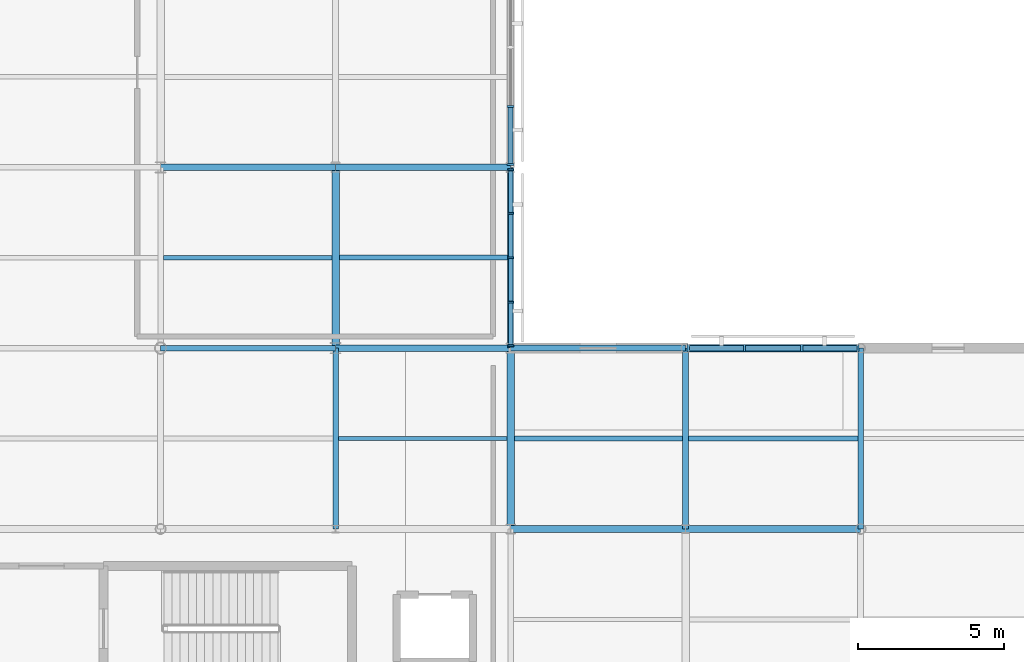
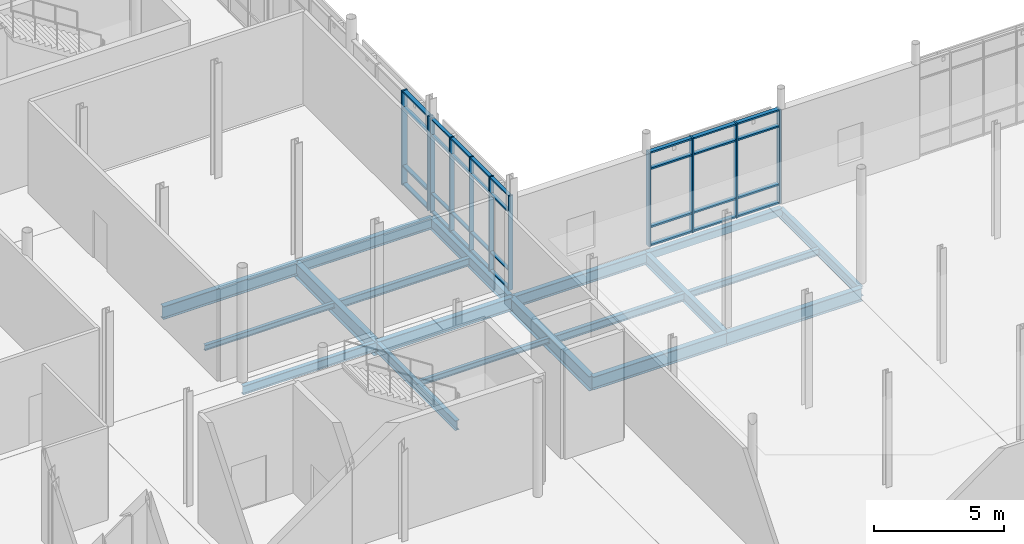
# One storey, part 50 of 105: 43 members, 19 beams, 3 elements without a shape of their own.
"""IFC4 building model written with IfcOpenShell, lengths in metres."""

import ifcopenshell
import ifcopenshell.guid

model = None  # the IFC model being written
_history = None  # IfcOwnerHistory: only IFC2X3 demands one
_inside = {}  # id of a spatial element -> (the spatial element, [elements in it])
_under = {}  # id of a project, library or spatial element -> (it, [spatial elements below it])
_declared = {}  # id of a project -> (the project, [libraries it declares])
_typed = {}  # id of a type object -> (the type object, [elements of that type])
_made_of = {}  # id of a material, layer set ... -> (it, [elements and type objects made of it])


def new_model(schema):
    """Start an empty IFC model of exactly this schema.

    Asked for "IFC4X3", IfcOpenShell would pick the latest addendum, in which some entities
    have other attributes; the version numbers below select the first issue.
    IFC2X3 requires an IfcOwnerHistory on every rooted entity: one is made here for all.
    """
    global model, _history
    if schema == "IFC4X3":
        model = ifcopenshell.file(schema_version=(4, 3, 0, 0))
    else:
        model = ifcopenshell.file(schema=schema)
    _inside.clear()
    _under.clear()
    _declared.clear()
    _typed.clear()
    _made_of.clear()
    _history = None
    if model.schema == "IFC2X3":
        org = make("IfcOrganization", Name="unknown")
        user = make(
            "IfcPersonAndOrganization",
            ThePerson=make("IfcPerson", FamilyName="unknown"),
            TheOrganization=org,
        )
        app = make(
            "IfcApplication",
            ApplicationDeveloper=org,
            Version="unknown",
            ApplicationFullName="unknown",
            ApplicationIdentifier="unknown",
        )
        _history = make(
            "IfcOwnerHistory",
            OwningUser=user,
            OwningApplication=app,
            ChangeAction="ADDED",
            CreationDate=0,
        )
    return model


def make(cls, **values):
    """One entity of the class cls with the attributes given. An attribute that is None is left unset."""
    return model.create_entity(
        cls, **{name: value for name, value in values.items() if value is not None}
    )


def rooted(cls, **values):
    """An entity with a GlobalId (a new one), such as an element, a storey or a relation."""
    return make(cls, GlobalId=ifcopenshell.guid.new(), OwnerHistory=_history, **values)


def si_unit(unit_type, name, prefix=None):
    """IfcSIUnit, for example si_unit("LENGTHUNIT", "METRE", prefix="MILLI")."""
    return make("IfcSIUnit", UnitType=unit_type, Prefix=prefix, Name=name)


def assignment(units):
    """IfcUnitAssignment: the units of a project."""
    return None if units is None else make("IfcUnitAssignment", Units=units)


def point(xyz):
    """IfcCartesianPoint."""
    return None if xyz is None else make("IfcCartesianPoint", Coordinates=xyz)


def direction(xyz):
    """IfcDirection."""
    return None if xyz is None else make("IfcDirection", DirectionRatios=xyz)


def frame(location, z_axis=None, x_axis=None):
    """IfcAxis2Placement3D, a coordinate frame: its origin and axes. An axis left out is left unset."""
    return make(
        "IfcAxis2Placement3D",
        Location=point(location),
        Axis=direction(z_axis),
        RefDirection=direction(x_axis),
    )


def frame_2d(location, x_axis=None):
    """IfcAxis2Placement2D, a coordinate frame in the plane: its origin and x axis."""
    return make(
        "IfcAxis2Placement2D", Location=point(location), RefDirection=direction(x_axis)
    )


def origin():
    """The frame at (0, 0, 0) with its axes left unset."""
    return frame((0.0, 0.0, 0.0))


def origin_2d():
    """The frame at (0, 0) in the plane with its x axis left unset."""
    return frame_2d((0.0, 0.0))


def place(relative_to, where):
    """IfcLocalPlacement: puts the frame where relative to a parent placement (None: the world)."""
    return make(
        "IfcLocalPlacement", PlacementRelTo=relative_to, RelativePlacement=where
    )


def context(
    kind, dimensions, precision=None, world=None, true_north=None, identifier=None
):
    """IfcGeometricRepresentationContext, for example the 3D "Model" context."""
    return make(
        "IfcGeometricRepresentationContext",
        ContextIdentifier=identifier,
        ContextType=kind,
        CoordinateSpaceDimension=dimensions,
        Precision=precision,
        WorldCoordinateSystem=world,
        TrueNorth=true_north,
    )


def subcontext(parent, identifier, kind, view, scale=None):
    """IfcGeometricRepresentationSubContext, for example "Body" below "Model"."""
    return make(
        "IfcGeometricRepresentationSubContext",
        ContextIdentifier=identifier,
        ContextType=kind,
        ParentContext=parent,
        TargetScale=scale,
        TargetView=view,
    )


def project(units=None, contexts=None):
    """IfcProject with its units and contexts."""
    return rooted(
        "IfcProject",
        Name="project",
        RepresentationContexts=contexts,
        UnitsInContext=assignment(units),
    )


def spatial(cls, under=None, at=None, **own):
    """A site, building, storey or space (cls), placed at a placement, below another one or the project."""
    s = rooted(cls, ObjectPlacement=at, **own)
    if under is not None:
        _under.setdefault(under.id(), (under, []))[1].append(s)
    return s


def profile(cls, at=None, kind="AREA", **sizes):
    """A parametric profile (cls). Its sizes go by their IFC names, for example OverallWidth=200.0."""
    return make(cls, ProfileType=kind, Position=at, **sizes)


def rectangle(**sizes):
    """IfcRectangleProfileDef."""
    return profile("IfcRectangleProfileDef", **sizes)


def hollow_rectangle(**sizes):
    """IfcRectangleHollowProfileDef."""
    return profile("IfcRectangleHollowProfileDef", **sizes)


def i_section(**sizes):
    """IfcIShapeProfileDef."""
    return profile("IfcIShapeProfileDef", **sizes)


def extrude(swept, where, along, depth):
    """IfcExtrudedAreaSolid: the profile swept, set in the frame where, extruded along a direction by depth."""
    return make(
        "IfcExtrudedAreaSolid",
        SweptArea=swept,
        Position=where,
        ExtrudedDirection=direction(along),
        Depth=depth,
    )


def shape(context_of_items, identifier, shape_type, items):
    """IfcShapeRepresentation: the items that make up one representation, for example the "Body"."""
    return make(
        "IfcShapeRepresentation",
        ContextOfItems=context_of_items,
        RepresentationIdentifier=identifier,
        RepresentationType=shape_type,
        Items=items,
    )


def material(Name=None, Category=None):
    """IfcMaterial."""
    return make("IfcMaterial", Name=Name, Category=Category)


def layer(
    of_material, thickness, ventilated=None, Name=None, Category=None, Priority=None
):
    """IfcMaterialLayer: one layer of a wall or slab, of a material (None: an air gap)."""
    return make(
        "IfcMaterialLayer",
        Material=of_material,
        LayerThickness=thickness,
        IsVentilated=ventilated,
        Name=Name,
        Category=Category,
        Priority=Priority,
    )


def layer_set(layers, Name=None):
    """IfcMaterialLayerSet."""
    return make("IfcMaterialLayerSet", MaterialLayers=layers, LayerSetName=Name)


def material_profile(
    of_material, cross_section, Name=None, Category=None, Priority=None
):
    """IfcMaterialProfile: a cross section and its material."""
    return make(
        "IfcMaterialProfile",
        Name=Name,
        Material=of_material,
        Profile=cross_section,
        Priority=Priority,
        Category=Category,
    )


def profile_set(profiles, Name=None, composite=None):
    """IfcMaterialProfileSet."""
    return make(
        "IfcMaterialProfileSet",
        Name=Name,
        MaterialProfiles=profiles,
        CompositeProfile=composite,
    )


def made_of(thing, what):
    """Note that an element or type object is made of a material, layer set ...; save() writes the relation."""
    if what is not None:
        _made_of.setdefault(what.id(), (what, []))[1].append(thing)
    return thing


def type_object(cls, material=None, **own):
    """A type object (cls), such as IfcWallType, which elements share."""
    return made_of(rooted(cls, **own), material)


def element(
    cls,
    number,
    at=None,
    inside=None,
    cuts=None,
    type_object=None,
    material=None,
    context=None,
    identifier="Body",
    shape_type=None,
    held_by="IfcProductDefinitionShape",
    body=None,
    shapes=None,
    **own,
):
    """One element of the class cls, such as IfcWall. Its Tag is "e" and its number.

    at: its placement. inside: the storey or other place that contains it. cuts: it is an
    opening in that element (IfcRelVoidsElement). A single representation is given by context,
    identifier, shape_type and body (its items); several are given by shapes. held_by: the class
    of the entity that holds the representations. save() writes the other relations.
    """
    e = rooted(cls, Tag="e%d" % number, ObjectPlacement=at, **own)
    if body is not None:
        shapes = [shape(context, identifier, shape_type, body)]
    if shapes is not None:
        e.Representation = make(held_by, Representations=shapes)
    if inside is not None:
        _inside.setdefault(inside.id(), (inside, []))[1].append(e)
    if cuts is not None:
        rooted(
            "IfcRelVoidsElement", RelatingBuildingElement=cuts, RelatedOpeningElement=e
        )
    if type_object is not None:
        _typed.setdefault(type_object.id(), (type_object, []))[1].append(e)
    return made_of(e, material)


def aggregate(whole, parts):
    """IfcRelAggregates: a whole, such as a stair, and the parts it consists of."""
    return rooted("IfcRelAggregates", RelatingObject=whole, RelatedObjects=parts)


def save(model, path):
    """Write the relations noted so far, then the file.

    IfcRelAggregates (storeys below a building ...), IfcRelContainedInSpatialStructure (elements
    in a storey), IfcRelDefinesByType, IfcRelAssociatesMaterial and IfcRelDeclares: one each for
    every whole, place, type object, material and project.
    """
    for whole, parts in _under.values():
        aggregate(whole, parts)
    for where, things in _inside.values():
        rooted(
            "IfcRelContainedInSpatialStructure",
            RelatedElements=things,
            RelatingStructure=where,
        )
    for kind, things in _typed.values():
        rooted("IfcRelDefinesByType", RelatedObjects=things, RelatingType=kind)
    for what, things in _made_of.values():
        rooted("IfcRelAssociatesMaterial", RelatedObjects=things, RelatingMaterial=what)
    for by, libraries in _declared.values():
        rooted("IfcRelDeclares", RelatingContext=by, RelatedDefinitions=libraries)
    model.write(path)


model = new_model("IFC4")

# Units and contexts
model_context = context("Model", 3, precision=1e-05, world=origin(), true_north=direction((0.0, 1.0)))
body_context = subcontext(model_context, "Body", "Model", "MODEL_VIEW")
ifc_project = project(units=[si_unit("LENGTHUNIT", "METRE"), si_unit("AREAUNIT", "SQUARE_METRE"), si_unit("VOLUMEUNIT", "CUBIC_METRE"), si_unit("PLANEANGLEUNIT", "RADIAN"), si_unit("MASSUNIT", "GRAM", prefix="KILO")], contexts=[model_context])

# Site, building, storey
site_placement = place(None, origin())
site = spatial("IfcSite", under=ifc_project, at=site_placement, CompositionType="ELEMENT")
building_placement = place(site_placement, origin())
building = spatial("IfcBuilding", under=site, at=building_placement, Name="Mirzam Square Science Centre", CompositionType="ELEMENT")
storey_placement = place(building_placement, frame((0.0, 0.0, 5.39990234375)))
storey = spatial("IfcBuildingStorey", under=building, at=storey_placement, Name="L01", CompositionType="ELEMENT", Elevation=5.39990234375)

# Beams
ifc_material_1 = material(Name="Steel S355", Category="steel")
ifc_material_profile_1 = material_profile(ifc_material_1, i_section(OverallWidth=0.1787109375, OverallDepth=0.409423828125, WebThickness=0.0087890625, FlangeThickness=0.014404296875, FilletRadius=0.01025390625, at=origin_2d()), Name="406x178x67UB")
ifc_profile_set_1 = profile_set([ifc_material_profile_1], Name="Steel S355")
beam_type_1 = type_object("IfcBeamType", Name="BM-UB406", PredefinedType="BEAM", material=ifc_profile_set_1)
beam_1_placement = place(storey_placement, frame((126.0, 86.800048828125, -0.45458984375), z_axis=(1.0, 0.0, 0.0), x_axis=(0.0, 1.0, 0.0)))
element("IfcBeam", 1, at=beam_1_placement, inside=storey, type_object=beam_type_1, Name="L01 girder X22-15", PredefinedType="BEAM", context=body_context, shape_type="SweptSolid", body=[
    extrude(i_section(OverallWidth=0.1787109375, OverallDepth=0.409423828125, WebThickness=0.0087890625, FlangeThickness=0.014404296875, FilletRadius=0.01025390625, at=origin_2d()), origin(), (0.0, 0.0, 1.0), 6.0),
])
ifc_material_profile_2 = material_profile(ifc_material_1, i_section(OverallWidth=0.19140625, OverallDepth=0.4599609375, WebThickness=0.010009765625, FlangeThickness=0.01611328125, FilletRadius=0.01025390625, at=origin_2d()), Name="457x191x82UB")
ifc_profile_set_2 = profile_set([ifc_material_profile_2], Name="Steel S355")
beam_type_2 = type_object("IfcBeamType", Name="BM-UB457", PredefinedType="BEAM", material=ifc_profile_set_2)
for number, where, z_axis, x_axis, name in (
    (2, (132.0, 80.60009765625, -0.47998046875), (0.0, 1.0, 0.0), (-1.0, 0.0, 0.0), "L01 girder Y23-14"),
    (3, (150.0, 80.60009765625, -0.47998046875), (0.0, 1.0, 0.0), (-1.0, 0.0, 0.0), "L01 girder Y26-14"),
):
    element("IfcBeam", number, at=place(storey_placement, frame(where, z_axis=z_axis, x_axis=x_axis)), inside=storey, type_object=beam_type_2, Name=name, PredefinedType="BEAM", context=body_context, shape_type="SweptSolid", body=[
        extrude(i_section(OverallWidth=0.19140625, OverallDepth=0.4599609375, WebThickness=0.010009765625, FlangeThickness=0.01611328125, FilletRadius=0.01025390625, at=origin_2d()), origin(), (0.0, 0.0, 1.0), 6.199951171875),
    ])
ifc_material_profile_3 = material_profile(ifc_material_1, i_section(OverallWidth=0.2099609375, OverallDepth=0.53662109375, WebThickness=0.0107421875, FlangeThickness=0.017333984375, FilletRadius=0.0126953125, at=origin_2d()), Name="533x210x101UB")
ifc_profile_set_3 = profile_set([ifc_material_profile_3], Name="Steel S355")
beam_type_3 = type_object("IfcBeamType", Name="BM-UB533", PredefinedType="BEAM", material=ifc_profile_set_3)
for number, where, z_axis, x_axis, name in (
    (4, (138.0, 86.800048828125, -0.518310546875), (1.0, 0.0, 0.0), (0.0, 1.0, 0.0), "L01 girder X24-15"),
    (5, (132.0, 93.0, -0.518310546875), (1.0, 0.0, 0.0), (0.0, 1.0, 0.0), "L01 girder X23-16"),
):
    element("IfcBeam", number, at=place(storey_placement, frame(where, z_axis=z_axis, x_axis=x_axis)), inside=storey, type_object=beam_type_3, Name=name, PredefinedType="BEAM", context=body_context, shape_type="SweptSolid", body=[
        extrude(i_section(OverallWidth=0.2099609375, OverallDepth=0.53662109375, WebThickness=0.0107421875, FlangeThickness=0.017333984375, FilletRadius=0.0126953125, at=origin_2d()), origin(), (0.0, 0.0, 1.0), 6.0),
    ])
for number, where, z_axis, x_axis, name in (
    (6, (138.0, 86.800048828125, -0.518310546875), (0.0, 1.0, 0.0), (-1.0, 0.0, 0.0), "L01 girder Y24-15"),
    (7, (144.0, 80.60009765625, -0.518310546875), (0.0, 1.0, 0.0), (-1.0, 0.0, 0.0), "L01 girder Y25-14"),
):
    element("IfcBeam", number, at=place(storey_placement, frame(where, z_axis=z_axis, x_axis=x_axis)), inside=storey, type_object=beam_type_3, Name=name, PredefinedType="BEAM", context=body_context, shape_type="SweptSolid", body=[
        extrude(i_section(OverallWidth=0.2099609375, OverallDepth=0.53662109375, WebThickness=0.0107421875, FlangeThickness=0.017333984375, FilletRadius=0.0126953125, at=origin_2d()), origin(), (0.0, 0.0, 1.0), 6.199951171875),
    ])
ifc_material_profile_4 = material_profile(ifc_material_1, i_section(OverallWidth=0.22900390625, OverallDepth=0.6123046875, WebThickness=0.011962890625, FlangeThickness=0.01953125, FilletRadius=0.0126953125, at=origin_2d()), Name="610x229x125UB")
ifc_profile_set_4 = profile_set([ifc_material_profile_4], Name="Steel S355")
beam_type_4 = type_object("IfcBeamType", Name="BM-UB610", PredefinedType="BEAM", material=ifc_profile_set_4)
for number, where, z_axis, x_axis, name in (
    (8, (138.0, 80.60009765625, -0.555908203125), (1.0, 0.0, 0.0), (0.0, 1.0, 0.0), "L01 girder X24-14"),
    (9, (144.0, 80.60009765625, -0.555908203125), (1.0, 0.0, 0.0), (0.0, 1.0, 0.0), "L01 girder X25-14"),
    (10, (132.0, 86.800048828125, -0.555908203125), (1.0, 0.0, 0.0), (0.0, 1.0, 0.0), "L01 girder X23-15"),
    (11, (126.0, 93.0, -0.555908203125), (1.0, 0.0, 0.0), (0.0, 1.0, 0.0), "L01 girder X22-16"),
):
    element("IfcBeam", number, at=place(storey_placement, frame(where, z_axis=z_axis, x_axis=x_axis)), inside=storey, type_object=beam_type_4, Name=name, PredefinedType="BEAM", context=body_context, shape_type="SweptSolid", body=[
        extrude(i_section(OverallWidth=0.22900390625, OverallDepth=0.6123046875, WebThickness=0.011962890625, FlangeThickness=0.01953125, FilletRadius=0.0126953125, at=origin_2d()), origin(), (0.0, 0.0, 1.0), 6.0),
    ])
ifc_material_profile_5 = material_profile(ifc_material_1, i_section(OverallWidth=0.25439453125, OverallDepth=0.6875, WebThickness=0.01318359375, FlangeThickness=0.02099609375, FilletRadius=0.01513671875, at=origin_2d()), Name="686x254x152UB")
ifc_profile_set_5 = profile_set([ifc_material_profile_5], Name="Steel S355")
beam_type_5 = type_object("IfcBeamType", Name="BM-UB686", PredefinedType="BEAM", material=ifc_profile_set_5)
for number, where, z_axis, x_axis, name in (
    (12, (132.0, 86.800048828125, -0.593505859375), (0.0, 1.0, 0.0), (-1.0, 0.0, 0.0), "L01 girder Y23-15"),
    (13, (138.0, 80.60009765625, -0.593505859375), (0.0, 1.0, 0.0), (-1.0, 0.0, 0.0), "L01 girder Y24-14"),
):
    element("IfcBeam", number, at=place(storey_placement, frame(where, z_axis=z_axis, x_axis=x_axis)), inside=storey, type_object=beam_type_5, Name=name, PredefinedType="BEAM", context=body_context, shape_type="SweptSolid", body=[
        extrude(i_section(OverallWidth=0.25439453125, OverallDepth=0.6875, WebThickness=0.01318359375, FlangeThickness=0.02099609375, FilletRadius=0.01513671875, at=origin_2d()), origin(), (0.0, 0.0, 1.0), 6.199951171875),
    ])

# Curtain wall, members
ifc_material_2 = material(Name="Anodised Aluminium and Low-E Solar Glass", Category="aluminium")
ifc_layer_1 = layer(ifc_material_2, 0.199951171875)
ifc_layer_set_1 = layer_set([ifc_layer_1], Name="CW-EAST-A")
curtain_wall_type_1 = type_object("IfcCurtainWallType", Name="CW-EAST-A", PredefinedType="USERDEFINED", material=ifc_layer_set_1)
curtain_wall_1_placement = place(storey_placement, origin())
curtain_wall_1 = element("IfcCurtainWall", 14, at=curtain_wall_1_placement, inside=storey, type_object=curtain_wall_type_1, Name="L01 unitised curtain wall 93", ObjectType="UNITISED CURTAIN WALL", PredefinedType="USERDEFINED")
ifc_material_3 = material(Name="Anodised Architectural Aluminium 6063-T6", Category="aluminium")
ifc_material_profile_6 = material_profile(ifc_material_3, rectangle(XDim=0.06494140625, YDim=0.199951171875, at=origin_2d()), Name="ALU-MULL-200x65x5")
ifc_profile_set_6 = profile_set([ifc_material_profile_6], Name="Anodised Architectural Aluminium 6063-T6")
member_type_1 = type_object("IfcMemberType", Name="CWM-200", PredefinedType="MULLION", material=ifc_profile_set_6)
member_1_placement = place(storey_placement, frame((138.0, 86.887451171875, 0.0), z_axis=(0.0, 0.0, 1.0), x_axis=(0.0, 1.0, 0.0)))
member_1 = element("IfcMember", 15, at=member_1_placement, type_object=member_type_1, Name="CW-05 mullion 1", PredefinedType="MULLION", context=body_context, shape_type="SweptSolid", body=[
    extrude(rectangle(XDim=0.06494140625, YDim=0.199951171875, at=origin_2d()), origin(), (0.0, 0.0, 1.0), 4.440185546875),
])
member_2_placement = place(storey_placement, frame((138.0, 88.37744140625, 0.0), z_axis=(0.0, 0.0, 1.0), x_axis=(0.0, 1.0, 0.0)))
member_2 = element("IfcMember", 16, at=member_2_placement, type_object=member_type_1, Name="CW-05 mullion 2", PredefinedType="MULLION", context=body_context, shape_type="SweptSolid", body=[
    extrude(rectangle(XDim=0.06494140625, YDim=0.199951171875, at=origin_2d()), origin(), (0.0, 0.0, 1.0), 4.440185546875),
])
member_3_placement = place(storey_placement, frame((138.0, 89.89990234375, 0.0), z_axis=(0.0, 0.0, 1.0), x_axis=(0.0, 1.0, 0.0)))
member_3 = element("IfcMember", 17, at=member_3_placement, type_object=member_type_1, Name="CW-05 mullion 3", PredefinedType="MULLION", context=body_context, shape_type="SweptSolid", body=[
    extrude(rectangle(XDim=0.06494140625, YDim=0.199951171875, at=origin_2d()), origin(), (0.0, 0.0, 1.0), 4.440185546875),
])
member_4_placement = place(storey_placement, frame((138.0, 91.422607421875, 0.0), z_axis=(0.0, 0.0, 1.0), x_axis=(0.0, 1.0, 0.0)))
member_4 = element("IfcMember", 18, at=member_4_placement, type_object=member_type_1, Name="CW-05 mullion 4", PredefinedType="MULLION", context=body_context, shape_type="SweptSolid", body=[
    extrude(rectangle(XDim=0.06494140625, YDim=0.199951171875, at=origin_2d()), origin(), (0.0, 0.0, 1.0), 4.440185546875),
])
member_5_placement = place(storey_placement, frame((138.0, 92.91259765625, 0.0), z_axis=(0.0, 0.0, 1.0), x_axis=(0.0, 1.0, 0.0)))
member_5 = element("IfcMember", 19, at=member_5_placement, type_object=member_type_1, Name="CW-05 mullion 5", PredefinedType="MULLION", context=body_context, shape_type="SweptSolid", body=[
    extrude(rectangle(XDim=0.06494140625, YDim=0.199951171875, at=origin_2d()), origin(), (0.0, 0.0, 1.0), 4.440185546875),
])

ifc_layer_2 = layer(ifc_material_2, 0.239990234375)
ifc_layer_set_2 = layer_set([ifc_layer_2], Name="CW-EAST-B")
curtain_wall_type_2 = type_object("IfcCurtainWallType", Name="CW-EAST-B", PredefinedType="USERDEFINED", material=ifc_layer_set_2)
curtain_wall_2_placement = place(storey_placement, origin())
curtain_wall_2 = element("IfcCurtainWall", 20, at=curtain_wall_2_placement, inside=storey, type_object=curtain_wall_type_2, Name="L01 unitised curtain wall 88", ObjectType="UNITISED CURTAIN WALL", PredefinedType="USERDEFINED")
ifc_material_profile_7 = material_profile(ifc_material_3, rectangle(XDim=0.074951171875, YDim=0.239990234375, at=origin_2d()), Name="ALU-MULL-240x75x5")
ifc_profile_set_7 = profile_set([ifc_material_profile_7], Name="Anodised Architectural Aluminium 6063-T6")
member_type_2 = type_object("IfcMemberType", Name="CWM-240", PredefinedType="MULLION", material=ifc_profile_set_7)
member_6_placement = place(storey_placement, frame((149.907470703125, 86.800048828125, 0.0), z_axis=(0.0, 0.0, 1.0), x_axis=(-1.0, 0.0, 0.0)))
member_6 = element("IfcMember", 21, at=member_6_placement, type_object=member_type_2, Name="CW-06 mullion 1", PredefinedType="MULLION", context=body_context, shape_type="SweptSolid", body=[
    extrude(rectangle(XDim=0.074951171875, YDim=0.239990234375, at=origin_2d()), origin(), (0.0, 0.0, 1.0), 4.440185546875),
])
member_7_placement = place(storey_placement, frame((147.981689453125, 86.800048828125, 0.0), z_axis=(0.0, 0.0, 1.0), x_axis=(-1.0, 0.0, 0.0)))
member_7 = element("IfcMember", 22, at=member_7_placement, type_object=member_type_2, Name="CW-06 mullion 2", PredefinedType="MULLION", context=body_context, shape_type="SweptSolid", body=[
    extrude(rectangle(XDim=0.074951171875, YDim=0.239990234375, at=origin_2d()), origin(), (0.0, 0.0, 1.0), 4.440185546875),
])
member_8_placement = place(storey_placement, frame((146.018310546875, 86.800048828125, 0.0), z_axis=(0.0, 0.0, 1.0), x_axis=(-1.0, 0.0, 0.0)))
member_8 = element("IfcMember", 23, at=member_8_placement, type_object=member_type_2, Name="CW-06 mullion 3", PredefinedType="MULLION", context=body_context, shape_type="SweptSolid", body=[
    extrude(rectangle(XDim=0.074951171875, YDim=0.239990234375, at=origin_2d()), origin(), (0.0, 0.0, 1.0), 4.440185546875),
])
member_9_placement = place(storey_placement, frame((144.092529296875, 86.800048828125, 0.0), z_axis=(0.0, 0.0, 1.0), x_axis=(-1.0, 0.0, 0.0)))
member_9 = element("IfcMember", 24, at=member_9_placement, type_object=member_type_2, Name="CW-06 mullion 4", PredefinedType="MULLION", context=body_context, shape_type="SweptSolid", body=[
    extrude(rectangle(XDim=0.074951171875, YDim=0.239990234375, at=origin_2d()), origin(), (0.0, 0.0, 1.0), 4.440185546875),
])

curtain_wall_3_placement = place(storey_placement, origin())
curtain_wall_3 = element("IfcCurtainWall", 25, at=curtain_wall_3_placement, inside=storey, type_object=curtain_wall_type_2, Name="L01 unitised curtain wall 95", ObjectType="UNITISED CURTAIN WALL", PredefinedType="USERDEFINED")
member_10_placement = place(storey_placement, frame((138.0, 93.092529296875, 0.0), z_axis=(0.0, 0.0, 1.0), x_axis=(0.0, 1.0, 0.0)))
member_10 = element("IfcMember", 26, at=member_10_placement, type_object=member_type_2, Name="CW-06 mullion 1", PredefinedType="MULLION", context=body_context, shape_type="SweptSolid", body=[
    extrude(rectangle(XDim=0.074951171875, YDim=0.239990234375, at=origin_2d()), origin(), (0.0, 0.0, 1.0), 4.440185546875),
])
member_11_placement = place(storey_placement, frame((138.0, 95.0849609375, 0.0), z_axis=(0.0, 0.0, 1.0), x_axis=(0.0, 1.0, 0.0)))
member_11 = element("IfcMember", 27, at=member_11_placement, type_object=member_type_2, Name="CW-06 mullion 2", PredefinedType="MULLION", context=body_context, shape_type="SweptSolid", body=[
    extrude(rectangle(XDim=0.074951171875, YDim=0.239990234375, at=origin_2d()), origin(), (0.0, 0.0, 1.0), 4.440185546875),
])

# Member
ifc_material_profile_8 = material_profile(ifc_material_3, rectangle(XDim=0.14990234375, YDim=0.06494140625, at=origin_2d()), Name="ALU-TRAN-150x65x4")
ifc_profile_set_8 = profile_set([ifc_material_profile_8], Name="Anodised Architectural Aluminium 6063-T6")
member_type_3 = type_object("IfcMemberType", Name="CWT-150", PredefinedType="USERDEFINED", material=ifc_profile_set_8)
member_12_placement = place(storey_placement, frame((138.0, 86.919921875, 0.03271484375), z_axis=(0.0, 1.0, 0.0), x_axis=(-1.0, 0.0, 0.0)))
member_12 = element("IfcMember", 28, at=member_12_placement, type_object=member_type_3, Name="CW-05 transom 1.1", ObjectType="TRANSOM", PredefinedType="USERDEFINED", context=body_context, shape_type="SweptSolid", body=[
    extrude(rectangle(XDim=0.14990234375, YDim=0.06494140625, at=origin_2d()), origin(), (0.0, 0.0, 1.0), 1.425048828125),
])

member_13_placement = place(storey_placement, frame((138.0, 86.919921875, 0.900146484375), z_axis=(0.0, 1.0, 0.0), x_axis=(-1.0, 0.0, 0.0)))
member_13 = element("IfcMember", 29, at=member_13_placement, type_object=member_type_3, Name="CW-05 transom 1.2", ObjectType="TRANSOM", PredefinedType="USERDEFINED", context=body_context, shape_type="SweptSolid", body=[
    extrude(rectangle(XDim=0.14990234375, YDim=0.06494140625, at=origin_2d()), origin(), (0.0, 0.0, 1.0), 1.425048828125),
])

member_14_placement = place(storey_placement, frame((138.0, 86.919921875, 3.64013671875), z_axis=(0.0, 1.0, 0.0), x_axis=(-1.0, 0.0, 0.0)))
member_14 = element("IfcMember", 30, at=member_14_placement, type_object=member_type_3, Name="CW-05 transom 1.3", ObjectType="TRANSOM", PredefinedType="USERDEFINED", context=body_context, shape_type="SweptSolid", body=[
    extrude(rectangle(XDim=0.14990234375, YDim=0.06494140625, at=origin_2d()), origin(), (0.0, 0.0, 1.0), 1.425048828125),
])

member_15_placement = place(storey_placement, frame((138.0, 86.919921875, 4.40771484375), z_axis=(0.0, 1.0, 0.0), x_axis=(-1.0, 0.0, 0.0)))
member_15 = element("IfcMember", 31, at=member_15_placement, type_object=member_type_3, Name="CW-05 transom 1.4", ObjectType="TRANSOM", PredefinedType="USERDEFINED", context=body_context, shape_type="SweptSolid", body=[
    extrude(rectangle(XDim=0.14990234375, YDim=0.06494140625, at=origin_2d()), origin(), (0.0, 0.0, 1.0), 1.425048828125),
])

member_16_placement = place(storey_placement, frame((138.0, 88.409912109375, 0.03271484375), z_axis=(0.0, 1.0, 0.0), x_axis=(-1.0, 0.0, 0.0)))
member_16 = element("IfcMember", 32, at=member_16_placement, type_object=member_type_3, Name="CW-05 transom 2.1", ObjectType="TRANSOM", PredefinedType="USERDEFINED", context=body_context, shape_type="SweptSolid", body=[
    extrude(rectangle(XDim=0.14990234375, YDim=0.06494140625, at=origin_2d()), origin(), (0.0, 0.0, 1.0), 1.45751953125),
])

member_17_placement = place(storey_placement, frame((138.0, 88.409912109375, 0.900146484375), z_axis=(0.0, 1.0, 0.0), x_axis=(-1.0, 0.0, 0.0)))
member_17 = element("IfcMember", 33, at=member_17_placement, type_object=member_type_3, Name="CW-05 transom 2.2", ObjectType="TRANSOM", PredefinedType="USERDEFINED", context=body_context, shape_type="SweptSolid", body=[
    extrude(rectangle(XDim=0.14990234375, YDim=0.06494140625, at=origin_2d()), origin(), (0.0, 0.0, 1.0), 1.45751953125),
])

member_18_placement = place(storey_placement, frame((138.0, 88.409912109375, 3.64013671875), z_axis=(0.0, 1.0, 0.0), x_axis=(-1.0, 0.0, 0.0)))
member_18 = element("IfcMember", 34, at=member_18_placement, type_object=member_type_3, Name="CW-05 transom 2.3", ObjectType="TRANSOM", PredefinedType="USERDEFINED", context=body_context, shape_type="SweptSolid", body=[
    extrude(rectangle(XDim=0.14990234375, YDim=0.06494140625, at=origin_2d()), origin(), (0.0, 0.0, 1.0), 1.45751953125),
])

member_19_placement = place(storey_placement, frame((138.0, 88.409912109375, 4.40771484375), z_axis=(0.0, 1.0, 0.0), x_axis=(-1.0, 0.0, 0.0)))
member_19 = element("IfcMember", 35, at=member_19_placement, type_object=member_type_3, Name="CW-05 transom 2.4", ObjectType="TRANSOM", PredefinedType="USERDEFINED", context=body_context, shape_type="SweptSolid", body=[
    extrude(rectangle(XDim=0.14990234375, YDim=0.06494140625, at=origin_2d()), origin(), (0.0, 0.0, 1.0), 1.45751953125),
])

member_20_placement = place(storey_placement, frame((138.0, 89.9326171875, 0.03271484375), z_axis=(0.0, 1.0, 0.0), x_axis=(-1.0, 0.0, 0.0)))
member_20 = element("IfcMember", 36, at=member_20_placement, type_object=member_type_3, Name="CW-05 transom 3.1", ObjectType="TRANSOM", PredefinedType="USERDEFINED", context=body_context, shape_type="SweptSolid", body=[
    extrude(rectangle(XDim=0.14990234375, YDim=0.06494140625, at=origin_2d()), origin(), (0.0, 0.0, 1.0), 1.457275390625),
])

member_21_placement = place(storey_placement, frame((138.0, 89.9326171875, 0.900146484375), z_axis=(0.0, 1.0, 0.0), x_axis=(-1.0, 0.0, 0.0)))
member_21 = element("IfcMember", 37, at=member_21_placement, type_object=member_type_3, Name="CW-05 transom 3.2", ObjectType="TRANSOM", PredefinedType="USERDEFINED", context=body_context, shape_type="SweptSolid", body=[
    extrude(rectangle(XDim=0.14990234375, YDim=0.06494140625, at=origin_2d()), origin(), (0.0, 0.0, 1.0), 1.457275390625),
])

member_22_placement = place(storey_placement, frame((138.0, 89.9326171875, 3.64013671875), z_axis=(0.0, 1.0, 0.0), x_axis=(-1.0, 0.0, 0.0)))
member_22 = element("IfcMember", 38, at=member_22_placement, type_object=member_type_3, Name="CW-05 transom 3.3", ObjectType="TRANSOM", PredefinedType="USERDEFINED", context=body_context, shape_type="SweptSolid", body=[
    extrude(rectangle(XDim=0.14990234375, YDim=0.06494140625, at=origin_2d()), origin(), (0.0, 0.0, 1.0), 1.457275390625),
])

member_23_placement = place(storey_placement, frame((138.0, 89.9326171875, 4.40771484375), z_axis=(0.0, 1.0, 0.0), x_axis=(-1.0, 0.0, 0.0)))
member_23 = element("IfcMember", 39, at=member_23_placement, type_object=member_type_3, Name="CW-05 transom 3.4", ObjectType="TRANSOM", PredefinedType="USERDEFINED", context=body_context, shape_type="SweptSolid", body=[
    extrude(rectangle(XDim=0.14990234375, YDim=0.06494140625, at=origin_2d()), origin(), (0.0, 0.0, 1.0), 1.457275390625),
])

member_24_placement = place(storey_placement, frame((138.0, 91.455078125, 0.03271484375), z_axis=(0.0, 1.0, 0.0), x_axis=(-1.0, 0.0, 0.0)))
member_24 = element("IfcMember", 40, at=member_24_placement, type_object=member_type_3, Name="CW-05 transom 4.1", ObjectType="TRANSOM", PredefinedType="USERDEFINED", context=body_context, shape_type="SweptSolid", body=[
    extrude(rectangle(XDim=0.14990234375, YDim=0.06494140625, at=origin_2d()), origin(), (0.0, 0.0, 1.0), 1.4248046875),
])

member_25_placement = place(storey_placement, frame((138.0, 91.455078125, 0.900146484375), z_axis=(0.0, 1.0, 0.0), x_axis=(-1.0, 0.0, 0.0)))
member_25 = element("IfcMember", 41, at=member_25_placement, type_object=member_type_3, Name="CW-05 transom 4.2", ObjectType="TRANSOM", PredefinedType="USERDEFINED", context=body_context, shape_type="SweptSolid", body=[
    extrude(rectangle(XDim=0.14990234375, YDim=0.06494140625, at=origin_2d()), origin(), (0.0, 0.0, 1.0), 1.4248046875),
])

member_26_placement = place(storey_placement, frame((138.0, 91.455078125, 3.64013671875), z_axis=(0.0, 1.0, 0.0), x_axis=(-1.0, 0.0, 0.0)))
member_26 = element("IfcMember", 42, at=member_26_placement, type_object=member_type_3, Name="CW-05 transom 4.3", ObjectType="TRANSOM", PredefinedType="USERDEFINED", context=body_context, shape_type="SweptSolid", body=[
    extrude(rectangle(XDim=0.14990234375, YDim=0.06494140625, at=origin_2d()), origin(), (0.0, 0.0, 1.0), 1.4248046875),
])

member_27_placement = place(storey_placement, frame((138.0, 91.455078125, 4.40771484375), z_axis=(0.0, 1.0, 0.0), x_axis=(-1.0, 0.0, 0.0)))
member_27 = element("IfcMember", 43, at=member_27_placement, type_object=member_type_3, Name="CW-05 transom 4.4", ObjectType="TRANSOM", PredefinedType="USERDEFINED", context=body_context, shape_type="SweptSolid", body=[
    extrude(rectangle(XDim=0.14990234375, YDim=0.06494140625, at=origin_2d()), origin(), (0.0, 0.0, 1.0), 1.4248046875),
])

aggregate(curtain_wall_1, [member_1, member_2, member_3, member_4, member_5, member_12, member_13, member_14, member_15, member_16, member_17, member_18, member_19, member_20, member_21, member_22, member_23, member_24, member_25, member_26, member_27])

ifc_material_profile_9 = material_profile(ifc_material_3, rectangle(XDim=0.179931640625, YDim=0.074951171875, at=origin_2d()), Name="ALU-TRAN-180x75x5")
ifc_profile_set_9 = profile_set([ifc_material_profile_9], Name="Anodised Architectural Aluminium 6063-T6")
member_type_4 = type_object("IfcMemberType", Name="CWT-180", PredefinedType="USERDEFINED", material=ifc_profile_set_9)
member_28_placement = place(storey_placement, frame((149.8701171875, 86.800048828125, 0.03759765625), z_axis=(-1.0, 0.0, 0.0), x_axis=(0.0, -1.0, 0.0)))
member_28 = element("IfcMember", 44, at=member_28_placement, type_object=member_type_4, Name="CW-06 transom 1.1", ObjectType="TRANSOM", PredefinedType="USERDEFINED", context=body_context, shape_type="SweptSolid", body=[
    extrude(rectangle(XDim=0.179931640625, YDim=0.074951171875, at=origin_2d()), origin(), (0.0, 0.0, 1.0), 1.850830078125),
])

member_29_placement = place(storey_placement, frame((149.8701171875, 86.800048828125, 0.900146484375), z_axis=(-1.0, 0.0, 0.0), x_axis=(0.0, -1.0, 0.0)))
member_29 = element("IfcMember", 45, at=member_29_placement, type_object=member_type_4, Name="CW-06 transom 1.2", ObjectType="TRANSOM", PredefinedType="USERDEFINED", context=body_context, shape_type="SweptSolid", body=[
    extrude(rectangle(XDim=0.179931640625, YDim=0.074951171875, at=origin_2d()), origin(), (0.0, 0.0, 1.0), 1.850830078125),
])

member_30_placement = place(storey_placement, frame((149.8701171875, 86.800048828125, 3.64013671875), z_axis=(-1.0, 0.0, 0.0), x_axis=(0.0, -1.0, 0.0)))
member_30 = element("IfcMember", 46, at=member_30_placement, type_object=member_type_4, Name="CW-06 transom 1.3", ObjectType="TRANSOM", PredefinedType="USERDEFINED", context=body_context, shape_type="SweptSolid", body=[
    extrude(rectangle(XDim=0.179931640625, YDim=0.074951171875, at=origin_2d()), origin(), (0.0, 0.0, 1.0), 1.850830078125),
])

member_31_placement = place(storey_placement, frame((149.8701171875, 86.800048828125, 4.402587890625), z_axis=(-1.0, 0.0, 0.0), x_axis=(0.0, -1.0, 0.0)))
member_31 = element("IfcMember", 47, at=member_31_placement, type_object=member_type_4, Name="CW-06 transom 1.4", ObjectType="TRANSOM", PredefinedType="USERDEFINED", context=body_context, shape_type="SweptSolid", body=[
    extrude(rectangle(XDim=0.179931640625, YDim=0.074951171875, at=origin_2d()), origin(), (0.0, 0.0, 1.0), 1.850830078125),
])

member_32_placement = place(storey_placement, frame((147.944091796875, 86.800048828125, 0.03759765625), z_axis=(-1.0, 0.0, 0.0), x_axis=(0.0, -1.0, 0.0)))
member_32 = element("IfcMember", 48, at=member_32_placement, type_object=member_type_4, Name="CW-06 transom 2.1", ObjectType="TRANSOM", PredefinedType="USERDEFINED", context=body_context, shape_type="SweptSolid", body=[
    extrude(rectangle(XDim=0.179931640625, YDim=0.074951171875, at=origin_2d()), origin(), (0.0, 0.0, 1.0), 1.88818359375),
])

member_33_placement = place(storey_placement, frame((147.944091796875, 86.800048828125, 0.900146484375), z_axis=(-1.0, 0.0, 0.0), x_axis=(0.0, -1.0, 0.0)))
member_33 = element("IfcMember", 49, at=member_33_placement, type_object=member_type_4, Name="CW-06 transom 2.2", ObjectType="TRANSOM", PredefinedType="USERDEFINED", context=body_context, shape_type="SweptSolid", body=[
    extrude(rectangle(XDim=0.179931640625, YDim=0.074951171875, at=origin_2d()), origin(), (0.0, 0.0, 1.0), 1.88818359375),
])

member_34_placement = place(storey_placement, frame((147.944091796875, 86.800048828125, 3.64013671875), z_axis=(-1.0, 0.0, 0.0), x_axis=(0.0, -1.0, 0.0)))
member_34 = element("IfcMember", 50, at=member_34_placement, type_object=member_type_4, Name="CW-06 transom 2.3", ObjectType="TRANSOM", PredefinedType="USERDEFINED", context=body_context, shape_type="SweptSolid", body=[
    extrude(rectangle(XDim=0.179931640625, YDim=0.074951171875, at=origin_2d()), origin(), (0.0, 0.0, 1.0), 1.88818359375),
])

member_35_placement = place(storey_placement, frame((147.944091796875, 86.800048828125, 4.402587890625), z_axis=(-1.0, 0.0, 0.0), x_axis=(0.0, -1.0, 0.0)))
member_35 = element("IfcMember", 51, at=member_35_placement, type_object=member_type_4, Name="CW-06 transom 2.4", ObjectType="TRANSOM", PredefinedType="USERDEFINED", context=body_context, shape_type="SweptSolid", body=[
    extrude(rectangle(XDim=0.179931640625, YDim=0.074951171875, at=origin_2d()), origin(), (0.0, 0.0, 1.0), 1.88818359375),
])

member_36_placement = place(storey_placement, frame((145.980712890625, 86.800048828125, 0.03759765625), z_axis=(-1.0, 0.0, 0.0), x_axis=(0.0, -1.0, 0.0)))
member_36 = element("IfcMember", 52, at=member_36_placement, type_object=member_type_4, Name="CW-06 transom 3.1", ObjectType="TRANSOM", PredefinedType="USERDEFINED", context=body_context, shape_type="SweptSolid", body=[
    extrude(rectangle(XDim=0.179931640625, YDim=0.074951171875, at=origin_2d()), origin(), (0.0, 0.0, 1.0), 1.850830078125),
])

member_37_placement = place(storey_placement, frame((145.980712890625, 86.800048828125, 0.900146484375), z_axis=(-1.0, 0.0, 0.0), x_axis=(0.0, -1.0, 0.0)))
member_37 = element("IfcMember", 53, at=member_37_placement, type_object=member_type_4, Name="CW-06 transom 3.2", ObjectType="TRANSOM", PredefinedType="USERDEFINED", context=body_context, shape_type="SweptSolid", body=[
    extrude(rectangle(XDim=0.179931640625, YDim=0.074951171875, at=origin_2d()), origin(), (0.0, 0.0, 1.0), 1.850830078125),
])

member_38_placement = place(storey_placement, frame((145.980712890625, 86.800048828125, 3.64013671875), z_axis=(-1.0, 0.0, 0.0), x_axis=(0.0, -1.0, 0.0)))
member_38 = element("IfcMember", 54, at=member_38_placement, type_object=member_type_4, Name="CW-06 transom 3.3", ObjectType="TRANSOM", PredefinedType="USERDEFINED", context=body_context, shape_type="SweptSolid", body=[
    extrude(rectangle(XDim=0.179931640625, YDim=0.074951171875, at=origin_2d()), origin(), (0.0, 0.0, 1.0), 1.850830078125),
])

member_39_placement = place(storey_placement, frame((145.980712890625, 86.800048828125, 4.402587890625), z_axis=(-1.0, 0.0, 0.0), x_axis=(0.0, -1.0, 0.0)))
member_39 = element("IfcMember", 55, at=member_39_placement, type_object=member_type_4, Name="CW-06 transom 3.4", ObjectType="TRANSOM", PredefinedType="USERDEFINED", context=body_context, shape_type="SweptSolid", body=[
    extrude(rectangle(XDim=0.179931640625, YDim=0.074951171875, at=origin_2d()), origin(), (0.0, 0.0, 1.0), 1.850830078125),
])

aggregate(curtain_wall_2, [member_6, member_7, member_8, member_9, member_28, member_29, member_30, member_31, member_32, member_33, member_34, member_35, member_36, member_37, member_38, member_39])

member_40_placement = place(storey_placement, frame((138.0, 93.1298828125, 0.03759765625), z_axis=(0.0, 1.0, 0.0), x_axis=(-1.0, 0.0, 0.0)))
member_40 = element("IfcMember", 56, at=member_40_placement, type_object=member_type_4, Name="CW-06 transom 1.1", ObjectType="TRANSOM", PredefinedType="USERDEFINED", context=body_context, shape_type="SweptSolid", body=[
    extrude(rectangle(XDim=0.179931640625, YDim=0.074951171875, at=origin_2d()), origin(), (0.0, 0.0, 1.0), 1.917724609375),
])

member_41_placement = place(storey_placement, frame((138.0, 93.1298828125, 0.900146484375), z_axis=(0.0, 1.0, 0.0), x_axis=(-1.0, 0.0, 0.0)))
member_41 = element("IfcMember", 57, at=member_41_placement, type_object=member_type_4, Name="CW-06 transom 1.2", ObjectType="TRANSOM", PredefinedType="USERDEFINED", context=body_context, shape_type="SweptSolid", body=[
    extrude(rectangle(XDim=0.179931640625, YDim=0.074951171875, at=origin_2d()), origin(), (0.0, 0.0, 1.0), 1.917724609375),
])

member_42_placement = place(storey_placement, frame((138.0, 93.1298828125, 3.64013671875), z_axis=(0.0, 1.0, 0.0), x_axis=(-1.0, 0.0, 0.0)))
member_42 = element("IfcMember", 58, at=member_42_placement, type_object=member_type_4, Name="CW-06 transom 1.3", ObjectType="TRANSOM", PredefinedType="USERDEFINED", context=body_context, shape_type="SweptSolid", body=[
    extrude(rectangle(XDim=0.179931640625, YDim=0.074951171875, at=origin_2d()), origin(), (0.0, 0.0, 1.0), 1.917724609375),
])

member_43_placement = place(storey_placement, frame((138.0, 93.1298828125, 4.402587890625), z_axis=(0.0, 1.0, 0.0), x_axis=(-1.0, 0.0, 0.0)))
member_43 = element("IfcMember", 59, at=member_43_placement, type_object=member_type_4, Name="CW-06 transom 1.4", ObjectType="TRANSOM", PredefinedType="USERDEFINED", context=body_context, shape_type="SweptSolid", body=[
    extrude(rectangle(XDim=0.179931640625, YDim=0.074951171875, at=origin_2d()), origin(), (0.0, 0.0, 1.0), 1.917724609375),
])

aggregate(curtain_wall_3, [member_10, member_11, member_40, member_41, member_42, member_43])

# Beams
ifc_material_profile_10 = material_profile(ifc_material_1, i_section(OverallWidth=0.146484375, OverallDepth=0.256103515625, WebThickness=0.00634765625, FlangeThickness=0.010986328125, FilletRadius=0.007568359375, at=origin_2d()), Name="254x146x37UB")
ifc_profile_set_10 = profile_set([ifc_material_profile_10], Name="Steel S355")
beam_type_6 = type_object("IfcBeamType", Name="JS-UB254", PredefinedType="JOIST", material=ifc_profile_set_10)
for number, where, z_axis, x_axis, name in (
    (60, (126.095703125, 89.89990234375, -0.3779296875), (1.0, 0.0, 0.0), (0.0, 1.0, 0.0), "L01 composite joist 22-15"),
    (61, (132.095703125, 83.699951171875, -0.3779296875), (1.0, 0.0, 0.0), (0.0, 1.0, 0.0), "L01 composite joist 23-14"),
):
    element("IfcBeam", number, at=place(storey_placement, frame(where, z_axis=z_axis, x_axis=x_axis)), inside=storey, type_object=beam_type_6, Name=name, PredefinedType="JOIST", context=body_context, shape_type="SweptSolid", body=[
        extrude(i_section(OverallWidth=0.146484375, OverallDepth=0.256103515625, WebThickness=0.00634765625, FlangeThickness=0.010986328125, FilletRadius=0.007568359375, at=origin_2d()), origin(), (0.0, 0.0, 1.0), 5.777099609375),
    ])
ifc_material_profile_11 = material_profile(ifc_material_1, i_section(OverallWidth=0.165771484375, OverallDepth=0.306640625, WebThickness=0.006591796875, FlangeThickness=0.01171875, FilletRadius=0.0087890625, at=origin_2d()), Name="305x165x46UB")
ifc_profile_set_11 = profile_set([ifc_material_profile_11], Name="Steel S355")
beam_type_7 = type_object("IfcBeamType", Name="JS-UB305", PredefinedType="JOIST", material=ifc_profile_set_11)
beam_2_placement = place(storey_placement, frame((144.10498046875, 83.699951171875, -0.4033203125), z_axis=(1.0, 0.0, 0.0), x_axis=(0.0, 1.0, 0.0)))
element("IfcBeam", 62, at=beam_2_placement, inside=storey, type_object=beam_type_7, Name="L01 composite joist 25-14", PredefinedType="JOIST", context=body_context, shape_type="SweptSolid", body=[
    extrude(i_section(OverallWidth=0.165771484375, OverallDepth=0.306640625, WebThickness=0.006591796875, FlangeThickness=0.01171875, FilletRadius=0.0087890625, at=origin_2d()), origin(), (0.0, 0.0, 1.0), 5.79931640625),
])
ifc_material_profile_12 = material_profile(ifc_material_1, i_section(OverallWidth=0.172119140625, OverallDepth=0.35791015625, WebThickness=0.008056640625, FlangeThickness=0.012939453125, FilletRadius=0.01025390625, at=origin_2d()), Name="356x171x57UB")
ifc_profile_set_12 = profile_set([ifc_material_profile_12], Name="Steel S355")
beam_type_8 = type_object("IfcBeamType", Name="JS-UB356", PredefinedType="JOIST", material=ifc_profile_set_12)
for number, where, z_axis, x_axis, name in (
    (63, (132.127197265625, 89.89990234375, -0.428955078125), (1.0, 0.0, 0.0), (0.0, 1.0, 0.0), "L01 composite joist 23-15"),
    (64, (138.127197265625, 83.699951171875, -0.428955078125), (1.0, 0.0, 0.0), (0.0, 1.0, 0.0), "L01 composite joist 24-14"),
):
    element("IfcBeam", number, at=place(storey_placement, frame(where, z_axis=z_axis, x_axis=x_axis)), inside=storey, type_object=beam_type_8, Name=name, PredefinedType="JOIST", context=body_context, shape_type="SweptSolid", body=[
        extrude(i_section(OverallWidth=0.172119140625, OverallDepth=0.35791015625, WebThickness=0.008056640625, FlangeThickness=0.012939453125, FilletRadius=0.01025390625, at=origin_2d()), origin(), (0.0, 0.0, 1.0), 5.767822265625),
    ])
ifc_material_profile_13 = material_profile(ifc_material_1, hollow_rectangle(XDim=0.25, YDim=0.35009765625, WallThickness=0.012451171875, InnerFilletRadius=0.012451171875, OuterFilletRadius=0.02490234375, at=origin_2d()), Name="350x250x12.5RHS")
ifc_profile_set_13 = profile_set([ifc_material_profile_13], Name="Steel S355")
beam_type_9 = type_object("IfcBeamType", Name="SP-RHS350", PredefinedType="SPANDREL", material=ifc_profile_set_13)
beam_3_placement = place(storey_placement, frame((144.0, 86.800048828125, -0.4248046875), z_axis=(1.0, 0.0, 0.0), x_axis=(0.0, 1.0, 0.0)))
element("IfcBeam", 65, at=beam_3_placement, inside=storey, type_object=beam_type_9, Name="L01 girder X25-15", PredefinedType="SPANDREL", context=body_context, shape_type="SweptSolid", body=[
    extrude(hollow_rectangle(XDim=0.25, YDim=0.35009765625, WallThickness=0.012451171875, InnerFilletRadius=0.012451171875, OuterFilletRadius=0.02490234375, at=origin_2d()), origin(), (0.0, 0.0, 1.0), 6.0),
])

save(model, "model.ifc")
